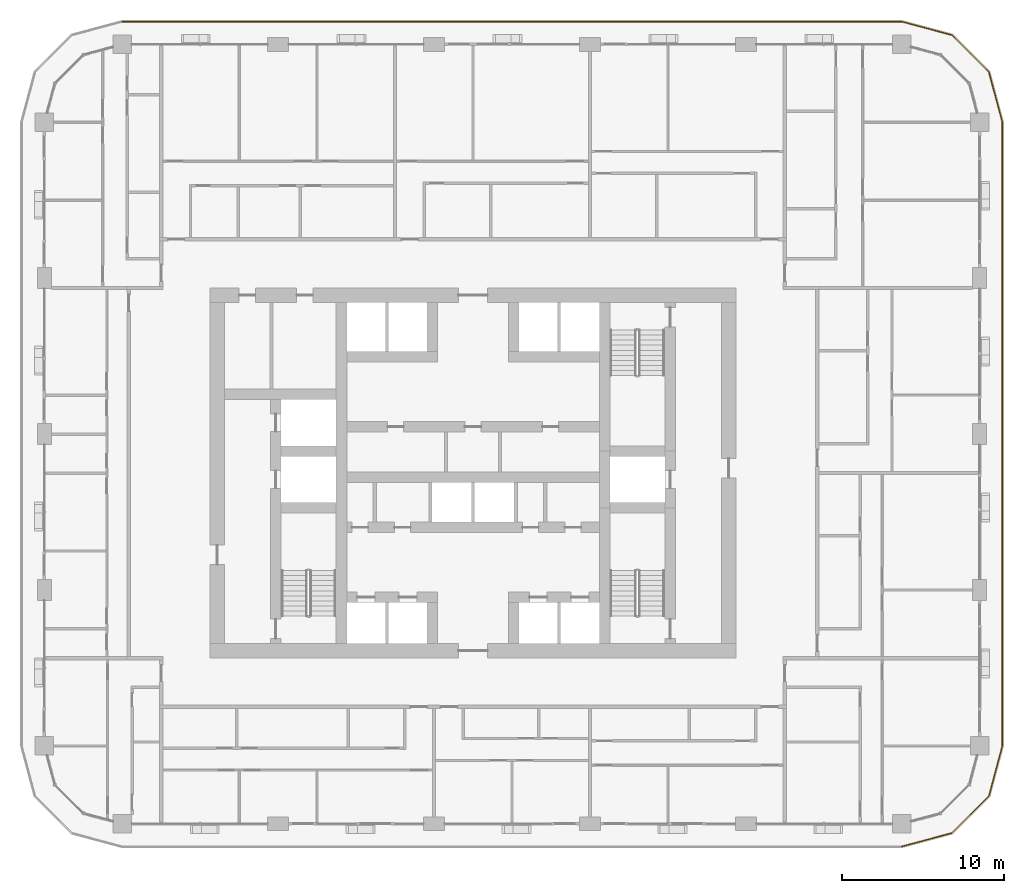
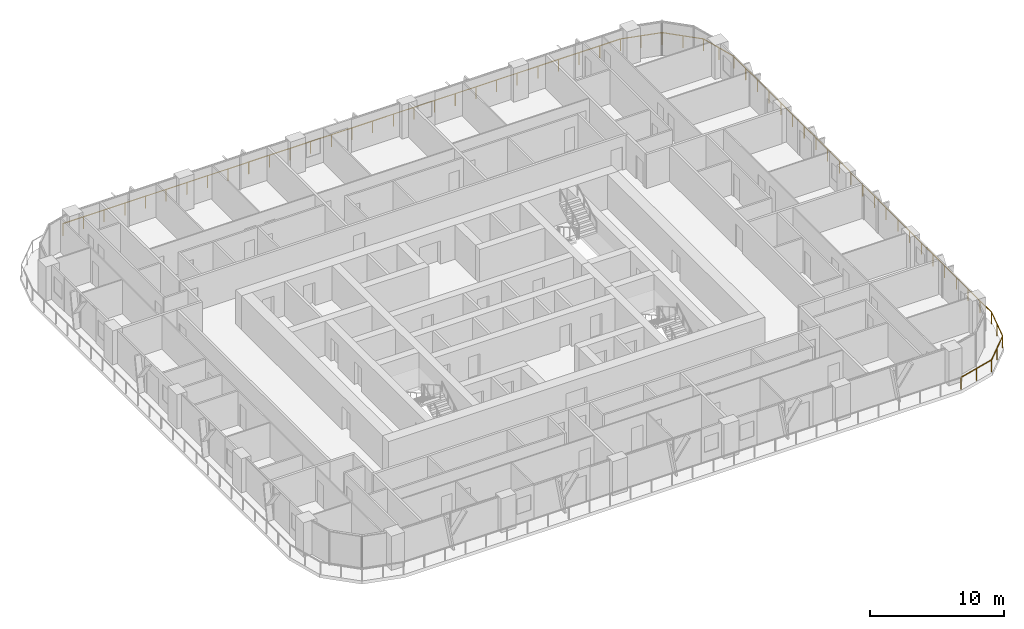
# One storey, part 19 of 21: 1 railing.
"""IFC4 building model written with IfcOpenShell, lengths in metres."""

from ifc_helpers import new_model, si_unit, direction, frame, origin, origin_2d, place, context, subcontext, project, spatial, circle, extrude, material, type_object, element, save


model = new_model("IFC4")

# Units and contexts
model_context = context("Model", 3, precision=1e-05, world=origin(), true_north=direction((0.0, 1.0)))
body_context = subcontext(model_context, "Body", "Model", "MODEL_VIEW")
ifc_project = project(units=[si_unit("LENGTHUNIT", "METRE"), si_unit("AREAUNIT", "SQUARE_METRE"), si_unit("VOLUMEUNIT", "CUBIC_METRE"), si_unit("PLANEANGLEUNIT", "RADIAN"), si_unit("MASSUNIT", "GRAM", prefix="KILO")], contexts=[model_context])

# Site, building, storey
site_placement = place(None, origin())
site = spatial("IfcSite", under=ifc_project, at=site_placement, CompositionType="ELEMENT")
building_placement = place(site_placement, origin())
building = spatial("IfcBuilding", under=site, at=building_placement, Name="Madar Terraces", CompositionType="ELEMENT")
storey_placement = place(building_placement, frame((0.0, 0.0, 110.199951171875)))
storey = spatial("IfcBuildingStorey", under=building, at=storey_placement, Name="L28", CompositionType="ELEMENT", Elevation=110.199951171875)

# Railing
ifc_material = material(Name="Glass, safety glazing, with stainless steel posts", Category="steel")
railing_type = type_object("IfcRailingType", Name="Balcony glass guard 1100", PredefinedType="GUARDRAIL", material=ifc_material)
railing_placement = place(storey_placement, frame((57.60009765625, 3.39990234375, 0.0)))
element("IfcRailing", 1, at=railing_placement, inside=storey, type_object=railing_type, Name="Balcony guard", PredefinedType="GUARDRAIL", context=body_context, shape_type="SweptSolid", body=[
    extrude(circle(Radius=0.02392578125, at=origin_2d()), frame((0.0, 0.0, 1.076171875), z_axis=(0.965909675762, 0.25887931217, 0.0), x_axis=(-0.25887931217, 0.965909675762, 0.0)), (0.0, 0.0, 1.0), 3.209228515625),
    extrude(circle(Radius=0.02392578125, at=origin_2d()), frame((3.099853515625, 0.830810546875, 1.076171875), z_axis=(0.707144815061, 0.707068745266, 0.0), x_axis=(-0.707068745266, 0.707144815061, 0.0)), (0.0, 0.0, 1.0), 3.20947265625),
    extrude(circle(Radius=0.02392578125, at=origin_2d()), frame((5.369384765625, 3.10009765625, 1.076171875), z_axis=(0.258789317819, 0.9659337912, 0.0), x_axis=(-0.9659337912, 0.258789317819, 0.0)), (0.0, 0.0, 1.0), 3.20947265625),
    extrude(circle(Radius=0.02392578125, at=origin_2d()), frame((6.199951171875, 6.2001953125, 1.076171875), z_axis=(0.0, 1.0, 0.0), x_axis=(-1.0, 0.0, 0.0)), (0.0, 0.0, 1.0), 38.39990234375),
    extrude(circle(Radius=0.02392578125, at=origin_2d()), frame((6.199951171875, 44.60009765625, 1.076171875), z_axis=(-0.258789317819, 0.9659337912, 0.0), x_axis=(-0.9659337912, -0.258789317819, 0.0)), (0.0, 0.0, 1.0), 3.20947265625),
    extrude(circle(Radius=0.02392578125, at=origin_2d()), frame((5.369384765625, 47.7001953125, 1.076171875), z_axis=(-0.707144815061, 0.707068745266, 0.0), x_axis=(-0.707068745266, -0.707144815061, 0.0)), (0.0, 0.0, 1.0), 3.20947265625),
    extrude(circle(Radius=0.02392578125, at=origin_2d()), frame((3.099853515625, 49.969482421875, 1.076171875), z_axis=(-0.965928696102, 0.258808334578, 0.0), x_axis=(-0.258808334578, -0.965928696102, 0.0)), (0.0, 0.0, 1.0), 3.209228515625),
    extrude(circle(Radius=0.02392578125, at=origin_2d()), frame((0.0, 50.800048828125, 1.076171875), z_axis=(-1.0, 0.0, 0.0), x_axis=(0.0, -1.0, 0.0)), (0.0, 0.0, 1.0), 48.0),
    extrude(circle(Radius=0.02099609375, at=origin_2d()), origin(), (0.0, 0.0, 1.0), 1.052001953125),
    extrude(circle(Radius=0.02099609375, at=origin_2d()), frame((1.5498046875, 0.41552734375, 0.0)), (0.0, 0.0, 1.0), 1.052001953125),
    extrude(circle(Radius=0.02099609375, at=origin_2d()), frame((3.099853515625, 0.830810546875, 0.0)), (0.0, 0.0, 1.0), 1.052001953125),
    extrude(circle(Radius=0.02099609375, at=origin_2d()), frame((4.234619140625, 1.96533203125, 0.0)), (0.0, 0.0, 1.0), 1.052001953125),
    extrude(circle(Radius=0.02099609375, at=origin_2d()), frame((5.369384765625, 3.10009765625, 0.0)), (0.0, 0.0, 1.0), 1.052001953125),
    extrude(circle(Radius=0.02099609375, at=origin_2d()), frame((5.78466796875, 4.650146484375, 0.0)), (0.0, 0.0, 1.0), 1.052001953125),
    extrude(circle(Radius=0.02099609375, at=origin_2d()), frame((6.199951171875, 6.2001953125, 0.0)), (0.0, 0.0, 1.0), 1.052001953125),
    extrude(circle(Radius=0.02099609375, at=origin_2d()), frame((6.199951171875, 7.945556640625, 0.0)), (0.0, 0.0, 1.0), 1.052001953125),
    extrude(circle(Radius=0.02099609375, at=origin_2d()), frame((6.199951171875, 9.691162109375, 0.0)), (0.0, 0.0, 1.0), 1.052001953125),
    extrude(circle(Radius=0.02099609375, at=origin_2d()), frame((6.199951171875, 11.4365234375, 0.0)), (0.0, 0.0, 1.0), 1.052001953125),
    extrude(circle(Radius=0.02099609375, at=origin_2d()), frame((6.199951171875, 13.181884765625, 0.0)), (0.0, 0.0, 1.0), 1.052001953125),
    extrude(circle(Radius=0.02099609375, at=origin_2d()), frame((6.199951171875, 14.927490234375, 0.0)), (0.0, 0.0, 1.0), 1.052001953125),
    extrude(circle(Radius=0.02099609375, at=origin_2d()), frame((6.199951171875, 16.6728515625, 0.0)), (0.0, 0.0, 1.0), 1.052001953125),
    extrude(circle(Radius=0.02099609375, at=origin_2d()), frame((6.199951171875, 18.41845703125, 0.0)), (0.0, 0.0, 1.0), 1.052001953125),
    extrude(circle(Radius=0.02099609375, at=origin_2d()), frame((6.199951171875, 20.163818359375, 0.0)), (0.0, 0.0, 1.0), 1.052001953125),
    extrude(circle(Radius=0.02099609375, at=origin_2d()), frame((6.199951171875, 21.9091796875, 0.0)), (0.0, 0.0, 1.0), 1.052001953125),
    extrude(circle(Radius=0.02099609375, at=origin_2d()), frame((6.199951171875, 23.65478515625, 0.0)), (0.0, 0.0, 1.0), 1.052001953125),
    extrude(circle(Radius=0.02099609375, at=origin_2d()), frame((6.199951171875, 25.400146484375, 0.0)), (0.0, 0.0, 1.0), 1.052001953125),
    extrude(circle(Radius=0.02099609375, at=origin_2d()), frame((6.199951171875, 27.1455078125, 0.0)), (0.0, 0.0, 1.0), 1.052001953125),
    extrude(circle(Radius=0.02099609375, at=origin_2d()), frame((6.199951171875, 28.89111328125, 0.0)), (0.0, 0.0, 1.0), 1.052001953125),
    extrude(circle(Radius=0.02099609375, at=origin_2d()), frame((6.199951171875, 30.636474609375, 0.0)), (0.0, 0.0, 1.0), 1.052001953125),
    extrude(circle(Radius=0.02099609375, at=origin_2d()), frame((6.199951171875, 32.3818359375, 0.0)), (0.0, 0.0, 1.0), 1.052001953125),
    extrude(circle(Radius=0.02099609375, at=origin_2d()), frame((6.199951171875, 34.12744140625, 0.0)), (0.0, 0.0, 1.0), 1.052001953125),
    extrude(circle(Radius=0.02099609375, at=origin_2d()), frame((6.199951171875, 35.872802734375, 0.0)), (0.0, 0.0, 1.0), 1.052001953125),
    extrude(circle(Radius=0.02099609375, at=origin_2d()), frame((6.199951171875, 37.618408203125, 0.0)), (0.0, 0.0, 1.0), 1.052001953125),
    extrude(circle(Radius=0.02099609375, at=origin_2d()), frame((6.199951171875, 39.36376953125, 0.0)), (0.0, 0.0, 1.0), 1.052001953125),
    extrude(circle(Radius=0.02099609375, at=origin_2d()), frame((6.199951171875, 41.109130859375, 0.0)), (0.0, 0.0, 1.0), 1.052001953125),
    extrude(circle(Radius=0.02099609375, at=origin_2d()), frame((6.199951171875, 42.854736328125, 0.0)), (0.0, 0.0, 1.0), 1.052001953125),
    extrude(circle(Radius=0.02099609375, at=origin_2d()), frame((6.199951171875, 44.60009765625, 0.0)), (0.0, 0.0, 1.0), 1.052001953125),
    extrude(circle(Radius=0.02099609375, at=origin_2d()), frame((5.78466796875, 46.150146484375, 0.0)), (0.0, 0.0, 1.0), 1.052001953125),
    extrude(circle(Radius=0.02099609375, at=origin_2d()), frame((5.369384765625, 47.7001953125, 0.0)), (0.0, 0.0, 1.0), 1.052001953125),
    extrude(circle(Radius=0.02099609375, at=origin_2d()), frame((4.234619140625, 48.8349609375, 0.0)), (0.0, 0.0, 1.0), 1.052001953125),
    extrude(circle(Radius=0.02099609375, at=origin_2d()), frame((3.099853515625, 49.969482421875, 0.0)), (0.0, 0.0, 1.0), 1.052001953125),
    extrude(circle(Radius=0.02099609375, at=origin_2d()), frame((1.5498046875, 50.384765625, 0.0)), (0.0, 0.0, 1.0), 1.052001953125),
    extrude(circle(Radius=0.02099609375, at=origin_2d()), frame((0.0, 50.800048828125, 0.0)), (0.0, 0.0, 1.0), 1.052001953125),
    extrude(circle(Radius=0.02099609375, at=origin_2d()), frame((-1.77783203125, 50.800048828125, 0.0)), (0.0, 0.0, 1.0), 1.052001953125),
    extrude(circle(Radius=0.02099609375, at=origin_2d()), frame((-3.5556640625, 50.800048828125, 0.0)), (0.0, 0.0, 1.0), 1.052001953125),
    extrude(circle(Radius=0.02099609375, at=origin_2d()), frame((-5.333251953125, 50.800048828125, 0.0)), (0.0, 0.0, 1.0), 1.052001953125),
    extrude(circle(Radius=0.02099609375, at=origin_2d()), frame((-7.111083984375, 50.800048828125, 0.0)), (0.0, 0.0, 1.0), 1.052001953125),
    extrude(circle(Radius=0.02099609375, at=origin_2d()), frame((-8.888916015625, 50.800048828125, 0.0)), (0.0, 0.0, 1.0), 1.052001953125),
    extrude(circle(Radius=0.02099609375, at=origin_2d()), frame((-10.666748046875, 50.800048828125, 0.0)), (0.0, 0.0, 1.0), 1.052001953125),
    extrude(circle(Radius=0.02099609375, at=origin_2d()), frame((-12.4443359375, 50.800048828125, 0.0)), (0.0, 0.0, 1.0), 1.052001953125),
    extrude(circle(Radius=0.02099609375, at=origin_2d()), frame((-14.22216796875, 50.800048828125, 0.0)), (0.0, 0.0, 1.0), 1.052001953125),
    extrude(circle(Radius=0.02099609375, at=origin_2d()), frame((-16.0, 50.800048828125, 0.0)), (0.0, 0.0, 1.0), 1.052001953125),
    extrude(circle(Radius=0.02099609375, at=origin_2d()), frame((-17.77783203125, 50.800048828125, 0.0)), (0.0, 0.0, 1.0), 1.052001953125),
    extrude(circle(Radius=0.02099609375, at=origin_2d()), frame((-19.5556640625, 50.800048828125, 0.0)), (0.0, 0.0, 1.0), 1.052001953125),
    extrude(circle(Radius=0.02099609375, at=origin_2d()), frame((-21.333251953125, 50.800048828125, 0.0)), (0.0, 0.0, 1.0), 1.052001953125),
    extrude(circle(Radius=0.02099609375, at=origin_2d()), frame((-23.111083984375, 50.800048828125, 0.0)), (0.0, 0.0, 1.0), 1.052001953125),
    extrude(circle(Radius=0.02099609375, at=origin_2d()), frame((-24.888916015625, 50.800048828125, 0.0)), (0.0, 0.0, 1.0), 1.052001953125),
    extrude(circle(Radius=0.02099609375, at=origin_2d()), frame((-26.666748046875, 50.800048828125, 0.0)), (0.0, 0.0, 1.0), 1.052001953125),
    extrude(circle(Radius=0.02099609375, at=origin_2d()), frame((-28.4443359375, 50.800048828125, 0.0)), (0.0, 0.0, 1.0), 1.052001953125),
    extrude(circle(Radius=0.02099609375, at=origin_2d()), frame((-30.22216796875, 50.800048828125, 0.0)), (0.0, 0.0, 1.0), 1.052001953125),
    extrude(circle(Radius=0.02099609375, at=origin_2d()), frame((-32.0, 50.800048828125, 0.0)), (0.0, 0.0, 1.0), 1.052001953125),
    extrude(circle(Radius=0.02099609375, at=origin_2d()), frame((-33.77783203125, 50.800048828125, 0.0)), (0.0, 0.0, 1.0), 1.052001953125),
    extrude(circle(Radius=0.02099609375, at=origin_2d()), frame((-35.5556640625, 50.800048828125, 0.0)), (0.0, 0.0, 1.0), 1.052001953125),
    extrude(circle(Radius=0.02099609375, at=origin_2d()), frame((-37.333251953125, 50.800048828125, 0.0)), (0.0, 0.0, 1.0), 1.052001953125),
    extrude(circle(Radius=0.02099609375, at=origin_2d()), frame((-39.111083984375, 50.800048828125, 0.0)), (0.0, 0.0, 1.0), 1.052001953125),
    extrude(circle(Radius=0.02099609375, at=origin_2d()), frame((-40.888916015625, 50.800048828125, 0.0)), (0.0, 0.0, 1.0), 1.052001953125),
    extrude(circle(Radius=0.02099609375, at=origin_2d()), frame((-42.666748046875, 50.800048828125, 0.0)), (0.0, 0.0, 1.0), 1.052001953125),
    extrude(circle(Radius=0.02099609375, at=origin_2d()), frame((-44.4443359375, 50.800048828125, 0.0)), (0.0, 0.0, 1.0), 1.052001953125),
    extrude(circle(Radius=0.02099609375, at=origin_2d()), frame((-46.22216796875, 50.800048828125, 0.0)), (0.0, 0.0, 1.0), 1.052001953125),
    extrude(circle(Radius=0.02099609375, at=origin_2d()), frame((-48.0, 50.800048828125, 0.0)), (0.0, 0.0, 1.0), 1.052001953125),
])

save(model, "model.ifc")
